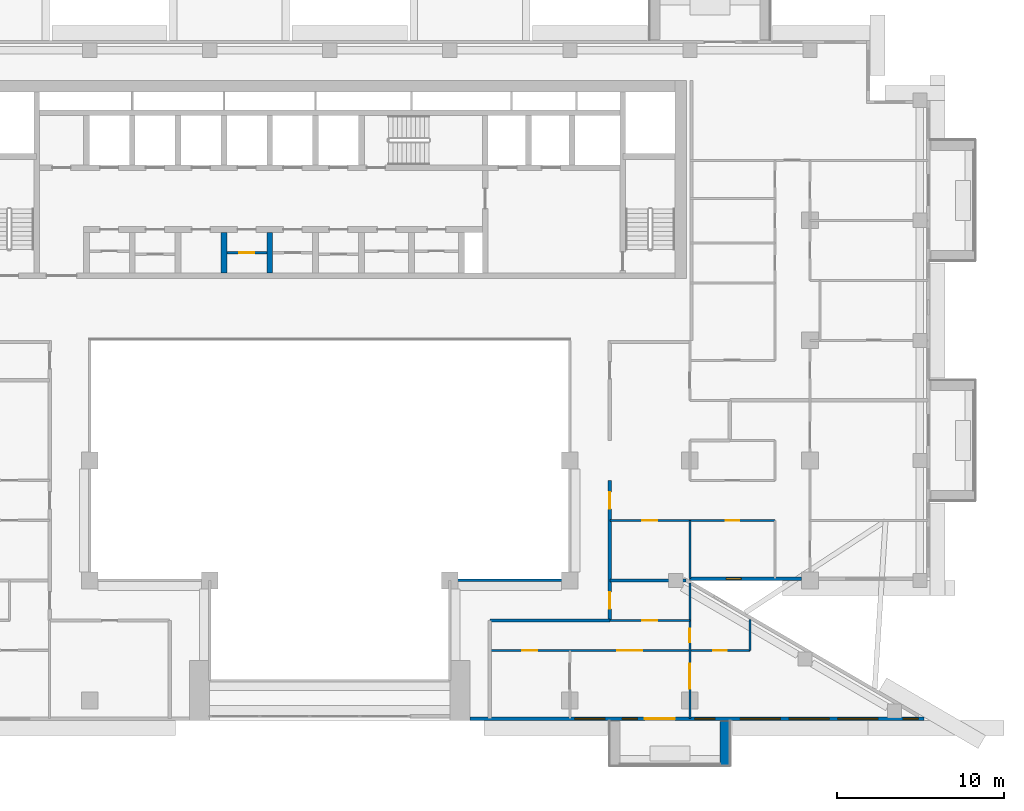
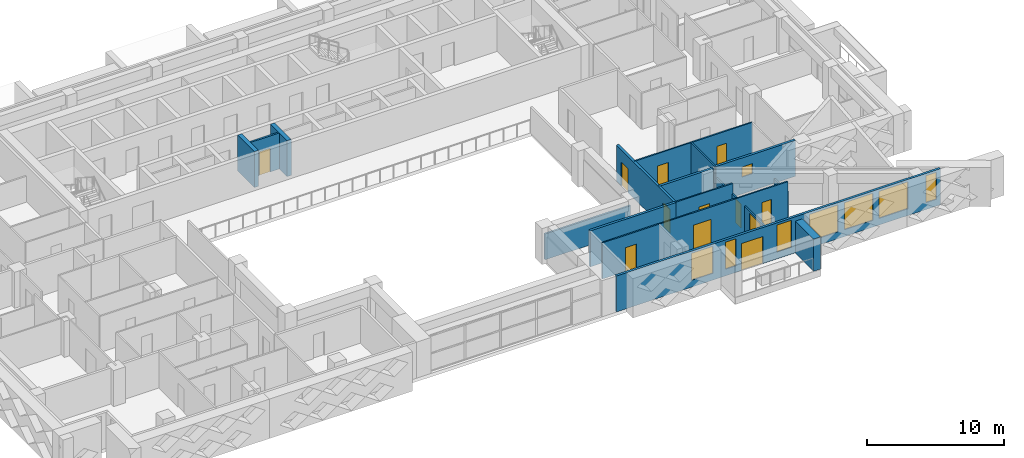
# One storey, part 8 of 20: 16 walls, 12 doors, 8 windows, 20 openings.
"""IFC4 building model written with IfcOpenShell, lengths in metres."""

from ifc_helpers import new_model, si_unit, direction, frame, frame_2d, origin, place, context, subcontext, project, spatial, rectangle, extrude, material, layer, layer_set, type_object, element, fill, save


model = new_model("IFC4")

# Units and contexts
model_context = context("Model", 3, precision=1e-05, world=origin(), true_north=direction((0.0, 1.0)))
body_context = subcontext(model_context, "Body", "Model", "MODEL_VIEW")
ifc_project = project(units=[si_unit("LENGTHUNIT", "METRE"), si_unit("AREAUNIT", "SQUARE_METRE"), si_unit("VOLUMEUNIT", "CUBIC_METRE"), si_unit("PLANEANGLEUNIT", "RADIAN"), si_unit("MASSUNIT", "GRAM", prefix="KILO")], contexts=[model_context])

# Site, building, storey
site_placement = place(None, origin())
site = spatial("IfcSite", under=ifc_project, at=site_placement, CompositionType="ELEMENT")
building_placement = place(site_placement, origin())
building = spatial("IfcBuilding", under=site, at=building_placement, Name="Saffron Iwan Residences", CompositionType="ELEMENT")
storey_placement = place(building_placement, frame((0.0, 0.0, 143.0)))
storey = spatial("IfcBuildingStorey", under=building, at=storey_placement, Name="L37", CompositionType="ELEMENT", Elevation=143.0)

# Walls
ifc_material_1 = material(Name="Fire-rated glazing", Category="glass")
ifc_layer_1 = layer(ifc_material_1, 0.14990234375)
ifc_layer_set_1 = layer_set([ifc_layer_1], Name="Fire-rated glazing")
wall_type_1 = type_object("IfcWallType", Name="Atrium glazed screen 150", PredefinedType="SOLIDWALL", material=ifc_layer_set_1)
wall_1_placement = place(storey_placement, frame((57.60009765625, 48.0, 0.0), z_axis=(0.0, 0.0, 1.0), x_axis=(1.0, 0.0, 0.0)))
element("IfcWall", 1, at=wall_1_placement, inside=storey, type_object=wall_type_1, Name="W-L37-SCREEN-h48-57.6", PredefinedType="SOLIDWALL", context=body_context, shape_type="SweptSolid", body=[
    extrude(rectangle(XDim=7.199951171875, YDim=0.14990234375, at=frame_2d((3.60009765625, 0.0))), origin(), (0.0, 0.0, 1.0), 2.300048828125),
])
ifc_material_2 = material(Name="Concrete C50/60 white painted", Category="concrete")
ifc_layer_2 = layer(ifc_material_2, 0.60009765625)
ifc_layer_set_2 = layer_set([ifc_layer_2], Name="Concrete C50/60 white painted")
wall_type_2 = type_object("IfcWallType", Name="BALCONY FIN 600", PredefinedType="SOLIDWALL", material=ifc_layer_set_2)
wall_2_placement = place(storey_placement, frame((74.10009765625, 39.550048828125, 0.0), z_axis=(0.0, 0.0, 1.0), x_axis=(0.0, -1.0, 0.0)))
element("IfcWall", 2, at=wall_2_placement, inside=storey, type_object=wall_type_2, Name="Balcony fin L37 11-1b", PredefinedType="SOLIDWALL", context=body_context, shape_type="SweptSolid", body=[
    extrude(rectangle(XDim=2.650146484375, YDim=0.60009765625, at=frame_2d((1.3251953125, 0.0))), origin(), (0.0, 0.0, 1.0), 2.85009765625),
])

# Wall, opening, door
ifc_material_3 = material(Name="Fire-rated plasterboard partition")
ifc_layer_3 = layer(ifc_material_3, 0.14990234375)
ifc_layer_set_3 = layer_set([ifc_layer_3], Name="Fire-rated plasterboard partition")
wall_type_3 = type_object("IfcWallType", Name="Core partition 150", PredefinedType="PARTITIONING", material=ifc_layer_set_3)
wall_3_placement = place(storey_placement, frame((44.22509765625, 67.66259765625, 0.0), z_axis=(0.0, 0.0, 1.0), x_axis=(1.0, 0.0, 0.0)))
wall_3 = element("IfcWall", 3, at=wall_3_placement, inside=storey, type_object=wall_type_3, Name="Core partition P03", PredefinedType="PARTITIONING", context=body_context, shape_type="SweptSolid", body=[
    extrude(rectangle(XDim=2.39990234375, YDim=0.14990234375, at=frame_2d((1.199951171875, 0.0))), origin(), (0.0, 0.0, 1.0), 3.199951171875),
])
opening_1_placement = place(wall_3_placement, frame((0.75, 0.0, 0.0)))
opening_1 = element("IfcOpeningElement", 4, at=opening_1_placement, cuts=wall_3, Name="Opening SB", PredefinedType="OPENING", context=body_context, shape_type="SweptSolid", body=[
    extrude(rectangle(XDim=0.89990234375, YDim=2.10009765625, at=frame_2d((0.449951171875, 1.050048828125))), frame((0.0, 0.0849609375, 0.0), z_axis=(0.0, -1.0, 0.0), x_axis=(1.0, 0.0, 0.0)), (0.0, 0.0, 1.0), 0.169921875),
])
ifc_material_4 = material(Name="Steel fire door", Category="steel")
door_type_1 = type_object("IfcDoorType", Name="Store door 900", OperationType="NOTDEFINED", PredefinedType="DOOR", material=ifc_material_4)
door_1_placement = place(opening_1_placement, origin())
door_1 = element("IfcDoor", 5, at=door_1_placement, inside=storey, type_object=door_type_1, Name="Door Equipment store", OperationType="SINGLE_SWING_LEFT", OverallHeight=2.10009765625, OverallWidth=0.89990234375, PredefinedType="DOOR", context=body_context, shape_type="SweptSolid", body=[
    extrude(rectangle(XDim=0.89990234375, YDim=2.10009765625, at=frame_2d((0.449951171875, 1.050048828125))), frame((0.0, 0.02490234375, 0.0), z_axis=(0.0, -1.0, 0.0), x_axis=(1.0, 0.0, 0.0)), (0.0, 0.0, 1.0), 0.050048828125),
])
fill(opening_1, door_1)

# Wall, opening, window
ifc_material_5 = material(Name="Concrete C40/50", Category="concrete")
ifc_layer_4 = layer(ifc_material_5, 0.199951171875)
ifc_layer_set_4 = layer_set([ifc_layer_4], Name="Concrete C40/50")
wall_type_4 = type_object("IfcWallType", Name="EXTERNAL WALL 200", PredefinedType="SOLIDWALL", material=ifc_layer_set_4)
wall_4_placement = place(storey_placement, frame((71.989990234375, 48.10009765625, 0.0), z_axis=(0.0, 0.0, 1.0), x_axis=(1.0, 0.0, 0.0)))
wall_4 = element("IfcWall", 6, at=wall_4_placement, inside=storey, type_object=wall_type_4, Name="External wall L37 F1.0", PredefinedType="SOLIDWALL", context=body_context, shape_type="SweptSolid", body=[
    extrude(rectangle(XDim=6.7099609375, YDim=0.199951171875, at=frame_2d((3.35498046875, 0.0))), origin(), (0.0, 0.0, 1.0), 3.199951171875),
])
opening_2_placement = place(wall_4_placement, frame((2.204833984375, 0.0, 1.5)))
opening_2 = element("IfcOpeningElement", 7, at=opening_2_placement, cuts=wall_4, Name="Opening W6", PredefinedType="OPENING", context=body_context, shape_type="SweptSolid", body=[
    extrude(rectangle(XDim=0.89990234375, YDim=0.89990234375, at=frame_2d((0.449951171875, 0.449951171875))), frame((0.0, 0.10986328125, 0.0), z_axis=(0.0, -1.0, 0.0), x_axis=(1.0, 0.0, 0.0)), (0.0, 0.0, 1.0), 0.219970703125),
])
ifc_material_6 = material(Name="Clear glass, laminated double glazed", Category="glass")
window_type_1 = type_object("IfcWindowType", Name="WINDOW 900 x 900 BATH", PartitioningType="SINGLE_PANEL", PredefinedType="WINDOW", material=ifc_material_6)
window_1_placement = place(opening_2_placement, origin())
window_1 = element("IfcWindow", 8, at=window_1_placement, inside=storey, type_object=window_type_1, Name="Window L37 F1.0", OverallHeight=0.89990234375, OverallWidth=0.89990234375, PartitioningType="SINGLE_PANEL", PredefinedType="WINDOW", context=body_context, shape_type="SweptSolid", body=[
    extrude(rectangle(XDim=0.89990234375, YDim=0.89990234375, at=frame_2d((0.449951171875, 0.449951171875))), frame((0.0, 0.030029296875, 0.0), z_axis=(0.0, -1.0, 0.0), x_axis=(1.0, 0.0, 0.0)), (0.0, 0.0, 1.0), 0.06005859375),
])
fill(opening_2, window_1)

# Wall, openings, door, windows
wall_5_placement = place(storey_placement, frame((58.800048828125, 39.699951171875, 0.0), z_axis=(0.0, 0.0, 1.0), x_axis=(1.0, 0.0, 0.0)))
wall_5 = element("IfcWall", 9, at=wall_5_placement, inside=storey, type_object=wall_type_4, Name="External wall L37 F11.1", PredefinedType="SOLIDWALL", context=body_context, shape_type="SweptSolid", body=[
    extrude(rectangle(XDim=27.22998046875, YDim=0.199951171875, at=frame_2d((13.614990234375, 0.0))), origin(), (0.0, 0.0, 1.0), 3.199951171875),
])
opening_3_placement = place(wall_5_placement, frame((10.5, 0.0, 0.0)))
opening_3 = element("IfcOpeningElement", 10, at=opening_3_placement, cuts=wall_5, Name="Opening BD1", PredefinedType="OPENING", context=body_context, shape_type="SweptSolid", body=[
    extrude(rectangle(XDim=1.800048828125, YDim=2.39990234375, at=frame_2d((0.89990234375, 1.199951171875))), frame((0.0, 0.10986328125, 0.0), z_axis=(0.0, -1.0, 0.0), x_axis=(1.0, 0.0, 0.0)), (0.0, 0.0, 1.0), 0.219970703125),
])
opening_4_placement = place(wall_5_placement, frame((6.300048828125, 0.0, 0.60009765625)))
opening_4 = element("IfcOpeningElement", 11, at=opening_4_placement, cuts=wall_5, Name="Opening W8", PredefinedType="OPENING", context=body_context, shape_type="SweptSolid", body=[
    extrude(rectangle(XDim=1.800048828125, YDim=2.39990234375, at=frame_2d((0.89990234375, 1.199951171875))), frame((0.0, 0.10986328125, 0.0), z_axis=(0.0, -1.0, 0.0), x_axis=(1.0, 0.0, 0.0)), (0.0, 0.0, 1.0), 0.219970703125),
])
opening_5_placement = place(wall_5_placement, frame((9.14990234375, 0.0, 0.60009765625)))
opening_5 = element("IfcOpeningElement", 12, at=opening_5_placement, cuts=wall_5, Name="Opening W10", PredefinedType="OPENING", context=body_context, shape_type="SweptSolid", body=[
    extrude(rectangle(XDim=0.89990234375, YDim=2.39990234375, at=frame_2d((0.449951171875, 1.199951171875))), frame((0.0, 0.10986328125, 0.0), z_axis=(0.0, -1.0, 0.0), x_axis=(1.0, 0.0, 0.0)), (0.0, 0.0, 1.0), 0.219970703125),
])
opening_6_placement = place(wall_5_placement, frame((13.5, 0.0, 0.60009765625)))
opening_6 = element("IfcOpeningElement", 13, at=opening_6_placement, cuts=wall_5, Name="Opening W3", PredefinedType="OPENING", context=body_context, shape_type="SweptSolid", body=[
    extrude(rectangle(XDim=1.199951171875, YDim=2.39990234375, at=frame_2d((0.60009765625, 1.199951171875))), frame((0.0, 0.10986328125, 0.0), z_axis=(0.0, -1.0, 0.0), x_axis=(1.0, 0.0, 0.0)), (0.0, 0.0, 1.0), 0.219970703125),
])
opening_7_placement = place(wall_5_placement, frame((16.225341796875, 0.0, 0.60009765625)))
opening_7 = element("IfcOpeningElement", 14, at=opening_7_placement, cuts=wall_5, Name="Opening W1", PredefinedType="OPENING", context=body_context, shape_type="SweptSolid", body=[
    extrude(rectangle(XDim=2.39990234375, YDim=2.39990234375, at=frame_2d((1.199951171875, 1.199951171875))), frame((0.0, 0.10986328125, 0.0), z_axis=(0.0, -1.0, 0.0), x_axis=(1.0, 0.0, 0.0)), (0.0, 0.0, 1.0), 0.219970703125),
])
opening_8_placement = place(wall_5_placement, frame((19.150634765625, 0.0, 0.60009765625)))
opening_8 = element("IfcOpeningElement", 15, at=opening_8_placement, cuts=wall_5, Name="Opening W1", PredefinedType="OPENING", context=body_context, shape_type="SweptSolid", body=[
    extrude(rectangle(XDim=2.39990234375, YDim=2.39990234375, at=frame_2d((1.199951171875, 1.199951171875))), frame((0.0, 0.10986328125, 0.0), z_axis=(0.0, -1.0, 0.0), x_axis=(1.0, 0.0, 0.0)), (0.0, 0.0, 1.0), 0.219970703125),
])
opening_9_placement = place(wall_5_placement, frame((22.075927734375, 0.0, 0.60009765625)))
opening_9 = element("IfcOpeningElement", 16, at=opening_9_placement, cuts=wall_5, Name="Opening W1", PredefinedType="OPENING", context=body_context, shape_type="SweptSolid", body=[
    extrude(rectangle(XDim=2.39990234375, YDim=2.39990234375, at=frame_2d((1.199951171875, 1.199951171875))), frame((0.0, 0.10986328125, 0.0), z_axis=(0.0, -1.0, 0.0), x_axis=(1.0, 0.0, 0.0)), (0.0, 0.0, 1.0), 0.219970703125),
])
opening_10_placement = place(wall_5_placement, frame((25.990478515625, 0.0, 0.60009765625)))
opening_10 = element("IfcOpeningElement", 17, at=opening_10_placement, cuts=wall_5, Name="Opening W10", PredefinedType="OPENING", context=body_context, shape_type="SweptSolid", body=[
    extrude(rectangle(XDim=0.89990234375, YDim=2.39990234375, at=frame_2d((0.449951171875, 1.199951171875))), frame((0.0, 0.10986328125, 0.0), z_axis=(0.0, -1.0, 0.0), x_axis=(1.0, 0.0, 0.0)), (0.0, 0.0, 1.0), 0.219970703125),
])
door_type_2 = type_object("IfcDoorType", Name="BALCONY DOOR 1800 x 2400", OperationType="DOUBLE_DOOR_SLIDING", PredefinedType="DOOR", material=ifc_material_6)
door_2_placement = place(opening_3_placement, origin())
door_2 = element("IfcDoor", 18, at=door_2_placement, inside=storey, type_object=door_type_2, Name="Balcony door L37 F11.0", OperationType="DOUBLE_DOOR_SLIDING", OverallHeight=2.39990234375, OverallWidth=1.800048828125, PredefinedType="DOOR", context=body_context, shape_type="SweptSolid", body=[
    extrude(rectangle(XDim=1.800048828125, YDim=2.39990234375, at=frame_2d((0.89990234375, 1.199951171875))), frame((0.0, 0.02490234375, 0.0), z_axis=(0.0, -1.0, 0.0), x_axis=(1.0, 0.0, 0.0)), (0.0, 0.0, 1.0), 0.050048828125),
])
fill(opening_3, door_2)
window_type_2 = type_object("IfcWindowType", Name="WINDOW 1200 x 2400", PartitioningType="SINGLE_PANEL", PredefinedType="WINDOW", material=ifc_material_6)
window_2_placement = place(opening_6_placement, origin())
window_2 = element("IfcWindow", 19, at=window_2_placement, inside=storey, type_object=window_type_2, Name="Window L37 F11.3", OverallHeight=2.39990234375, OverallWidth=1.199951171875, PartitioningType="SINGLE_PANEL", PredefinedType="WINDOW", context=body_context, shape_type="SweptSolid", body=[
    extrude(rectangle(XDim=1.199951171875, YDim=2.39990234375, at=frame_2d((0.60009765625, 1.199951171875))), frame((0.0, 0.030029296875, 0.0), z_axis=(0.0, -1.0, 0.0), x_axis=(1.0, 0.0, 0.0)), (0.0, 0.0, 1.0), 0.06005859375),
])
fill(opening_6, window_2)
window_type_3 = type_object("IfcWindowType", Name="WINDOW 1800 x 2400", PartitioningType="DOUBLE_PANEL_VERTICAL", PredefinedType="WINDOW", material=ifc_material_6)
window_3_placement = place(opening_4_placement, origin())
window_3 = element("IfcWindow", 20, at=window_3_placement, inside=storey, type_object=window_type_3, Name="Window L37 F11.1", OverallHeight=2.39990234375, OverallWidth=1.800048828125, PartitioningType="DOUBLE_PANEL_VERTICAL", PredefinedType="WINDOW", context=body_context, shape_type="SweptSolid", body=[
    extrude(rectangle(XDim=1.800048828125, YDim=2.39990234375, at=frame_2d((0.89990234375, 1.199951171875))), frame((0.0, 0.030029296875, 0.0), z_axis=(0.0, -1.0, 0.0), x_axis=(1.0, 0.0, 0.0)), (0.0, 0.0, 1.0), 0.06005859375),
])
fill(opening_4, window_3)
window_type_4 = type_object("IfcWindowType", Name="WINDOW 2400 x 2400", PartitioningType="DOUBLE_PANEL_VERTICAL", PredefinedType="WINDOW", material=ifc_material_6)
window_4_placement = place(opening_7_placement, origin())
window_4 = element("IfcWindow", 21, at=window_4_placement, inside=storey, type_object=window_type_4, Name="Window L37 F11.4", OverallHeight=2.39990234375, OverallWidth=2.39990234375, PartitioningType="DOUBLE_PANEL_VERTICAL", PredefinedType="WINDOW", context=body_context, shape_type="SweptSolid", body=[
    extrude(rectangle(XDim=2.39990234375, YDim=2.39990234375, at=frame_2d((1.199951171875, 1.199951171875))), frame((0.0, 0.030029296875, 0.0), z_axis=(0.0, -1.0, 0.0), x_axis=(1.0, 0.0, 0.0)), (0.0, 0.0, 1.0), 0.06005859375),
])
fill(opening_7, window_4)
window_5_placement = place(opening_8_placement, origin())
window_5 = element("IfcWindow", 22, at=window_5_placement, inside=storey, type_object=window_type_4, Name="Window L37 F11.5", OverallHeight=2.39990234375, OverallWidth=2.39990234375, PartitioningType="DOUBLE_PANEL_VERTICAL", PredefinedType="WINDOW", context=body_context, shape_type="SweptSolid", body=[
    extrude(rectangle(XDim=2.39990234375, YDim=2.39990234375, at=frame_2d((1.199951171875, 1.199951171875))), frame((0.0, 0.030029296875, 0.0), z_axis=(0.0, -1.0, 0.0), x_axis=(1.0, 0.0, 0.0)), (0.0, 0.0, 1.0), 0.06005859375),
])
fill(opening_8, window_5)
window_6_placement = place(opening_9_placement, origin())
window_6 = element("IfcWindow", 23, at=window_6_placement, inside=storey, type_object=window_type_4, Name="Window L37 F11.6", OverallHeight=2.39990234375, OverallWidth=2.39990234375, PartitioningType="DOUBLE_PANEL_VERTICAL", PredefinedType="WINDOW", context=body_context, shape_type="SweptSolid", body=[
    extrude(rectangle(XDim=2.39990234375, YDim=2.39990234375, at=frame_2d((1.199951171875, 1.199951171875))), frame((0.0, 0.030029296875, 0.0), z_axis=(0.0, -1.0, 0.0), x_axis=(1.0, 0.0, 0.0)), (0.0, 0.0, 1.0), 0.06005859375),
])
fill(opening_9, window_6)
window_type_5 = type_object("IfcWindowType", Name="WINDOW 900 x 2400", PartitioningType="SINGLE_PANEL", PredefinedType="WINDOW", material=ifc_material_6)
window_7_placement = place(opening_5_placement, origin())
window_7 = element("IfcWindow", 24, at=window_7_placement, inside=storey, type_object=window_type_5, Name="Window L37 F11.2", OverallHeight=2.39990234375, OverallWidth=0.89990234375, PartitioningType="SINGLE_PANEL", PredefinedType="WINDOW", context=body_context, shape_type="SweptSolid", body=[
    extrude(rectangle(XDim=0.89990234375, YDim=2.39990234375, at=frame_2d((0.449951171875, 1.199951171875))), frame((0.0, 0.030029296875, 0.0), z_axis=(0.0, -1.0, 0.0), x_axis=(1.0, 0.0, 0.0)), (0.0, 0.0, 1.0), 0.06005859375),
])
fill(opening_5, window_7)
window_8_placement = place(opening_10_placement, origin())
window_8 = element("IfcWindow", 25, at=window_8_placement, inside=storey, type_object=window_type_5, Name="Window L37 F11.7", OverallHeight=2.39990234375, OverallWidth=0.89990234375, PartitioningType="SINGLE_PANEL", PredefinedType="WINDOW", context=body_context, shape_type="SweptSolid", body=[
    extrude(rectangle(XDim=0.89990234375, YDim=2.39990234375, at=frame_2d((0.449951171875, 1.199951171875))), frame((0.0, 0.030029296875, 0.0), z_axis=(0.0, -1.0, 0.0), x_axis=(1.0, 0.0, 0.0)), (0.0, 0.0, 1.0), 0.06005859375),
])
fill(opening_10, window_8)

# Wall
ifc_material_7 = material(Name="Fire-rated gypsum board wall")
ifc_layer_5 = layer(ifc_material_7, 0.199951171875)
ifc_layer_set_5 = layer_set([ifc_layer_5], Name="Fire-rated gypsum board wall")
wall_type_5 = type_object("IfcWallType", Name="Flat demising wall 200", PredefinedType="SOLIDWALL", material=ifc_layer_set_5)
wall_6_placement = place(storey_placement, frame((67.199951171875, 48.0, 0.0), z_axis=(0.0, 0.0, 1.0), x_axis=(1.0, 0.0, 0.0)))
element("IfcWall", 26, at=wall_6_placement, inside=storey, type_object=wall_type_5, Name="W-L37-DEMISE-h48-67.2", PredefinedType="SOLIDWALL", context=body_context, shape_type="SweptSolid", body=[
    extrude(rectangle(XDim=4.552001953125, YDim=0.199951171875, at=frame_2d((2.27587890625, 0.0))), origin(), (0.0, 0.0, 1.0), 3.199951171875),
])

# Wall, openings, doors
ifc_material_8 = material(Name="Gypsum board partition")
ifc_layer_6 = layer(ifc_material_8, 0.1201171875)
ifc_layer_set_6 = layer_set([ifc_layer_6], Name="Gypsum board partition")
wall_type_6 = type_object("IfcWallType", Name="Flat partition 120", PredefinedType="PARTITIONING", material=ifc_layer_set_6)
wall_7_placement = place(storey_placement, frame((60.0, 43.800048828125, 0.0), z_axis=(0.0, 0.0, 1.0), x_axis=(1.0, 0.0, 0.0)))
wall_7 = element("IfcWall", 27, at=wall_7_placement, inside=storey, type_object=wall_type_6, Name="W-L37-PART-h43.8-60", PredefinedType="PARTITIONING", context=body_context, shape_type="SweptSolid", body=[
    extrude(rectangle(XDim=15.60009765625, YDim=0.1201171875, at=frame_2d((7.800048828125, 0.0))), origin(), (0.0, 0.0, 1.0), 3.199951171875),
])
opening_11_placement = place(wall_7_placement, frame((7.64990234375, 0.0, 0.0)))
opening_11 = element("IfcOpeningElement", 28, at=opening_11_placement, cuts=wall_7, Name="Opening FD4", PredefinedType="OPENING", context=body_context, shape_type="SweptSolid", body=[
    extrude(rectangle(XDim=1.5, YDim=2.10009765625, at=frame_2d((0.75, 1.050048828125))), frame((0.0, 0.070068359375, 0.0), z_axis=(0.0, -1.0, 0.0), x_axis=(1.0, 0.0, 0.0)), (0.0, 0.0, 1.0), 0.14013671875),
])
opening_12_placement = place(wall_7_placement, frame((1.949951171875, 0.0, 0.0)))
opening_12 = element("IfcOpeningElement", 29, at=opening_12_placement, cuts=wall_7, Name="Opening FD2", PredefinedType="OPENING", context=body_context, shape_type="SweptSolid", body=[
    extrude(rectangle(XDim=0.89990234375, YDim=2.10009765625, at=frame_2d((0.449951171875, 1.050048828125))), frame((0.0, 0.070068359375, 0.0), z_axis=(0.0, -1.0, 0.0), x_axis=(1.0, 0.0, 0.0)), (0.0, 0.0, 1.0), 0.14013671875),
])
opening_13_placement = place(wall_7_placement, frame((13.39990234375, 0.0, 0.0)))
opening_13 = element("IfcOpeningElement", 30, at=opening_13_placement, cuts=wall_7, Name="Opening FD3", PredefinedType="OPENING", context=body_context, shape_type="SweptSolid", body=[
    extrude(rectangle(XDim=0.800048828125, YDim=2.10009765625, at=frame_2d((0.39990234375, 1.050048828125))), frame((0.0, 0.070068359375, 0.0), z_axis=(0.0, -1.0, 0.0), x_axis=(1.0, 0.0, 0.0)), (0.0, 0.0, 1.0), 0.14013671875),
])
ifc_material_9 = material(Name="Timber door", Category="wood")
door_type_3 = type_object("IfcDoorType", Name="Bathroom door 800", OperationType="NOTDEFINED", PredefinedType="DOOR", material=ifc_material_9)
door_3_placement = place(opening_13_placement, origin())
door_3 = element("IfcDoor", 31, at=door_3_placement, inside=storey, type_object=door_type_3, Name="Door L37-048", OperationType="SINGLE_SWING_RIGHT", OverallHeight=2.10009765625, OverallWidth=0.800048828125, PredefinedType="DOOR", context=body_context, shape_type="SweptSolid", body=[
    extrude(rectangle(XDim=0.800048828125, YDim=2.10009765625, at=frame_2d((0.39990234375, 1.050048828125))), frame((0.0, 0.02490234375, 0.0), z_axis=(0.0, -1.0, 0.0), x_axis=(1.0, 0.0, 0.0)), (0.0, 0.0, 1.0), 0.050048828125),
])
fill(opening_13, door_3)
door_type_4 = type_object("IfcDoorType", Name="Double door 1500", OperationType="NOTDEFINED", PredefinedType="DOOR", material=ifc_material_9)
door_4_placement = place(opening_11_placement, origin())
door_4 = element("IfcDoor", 32, at=door_4_placement, inside=storey, type_object=door_type_4, Name="Door L37-044", OperationType="SINGLE_SWING_LEFT", OverallHeight=2.10009765625, OverallWidth=1.5, PredefinedType="DOOR", context=body_context, shape_type="SweptSolid", body=[
    extrude(rectangle(XDim=1.5, YDim=2.10009765625, at=frame_2d((0.75, 1.050048828125))), frame((0.0, 0.02490234375, 0.0), z_axis=(0.0, -1.0, 0.0), x_axis=(1.0, 0.0, 0.0)), (0.0, 0.0, 1.0), 0.050048828125),
])
fill(opening_11, door_4)
door_type_5 = type_object("IfcDoorType", Name="Flat door 900", OperationType="NOTDEFINED", PredefinedType="DOOR", material=ifc_material_9)
door_5_placement = place(opening_12_placement, origin())
door_5 = element("IfcDoor", 33, at=door_5_placement, inside=storey, type_object=door_type_5, Name="Door L37-045", OperationType="SINGLE_SWING_RIGHT", OverallHeight=2.10009765625, OverallWidth=0.89990234375, PredefinedType="DOOR", context=body_context, shape_type="SweptSolid", body=[
    extrude(rectangle(XDim=0.89990234375, YDim=2.10009765625, at=frame_2d((0.449951171875, 1.050048828125))), frame((0.0, 0.02490234375, 0.0), z_axis=(0.0, -1.0, 0.0), x_axis=(1.0, 0.0, 0.0)), (0.0, 0.0, 1.0), 0.050048828125),
])
fill(opening_12, door_5)

# Wall, opening, door
wall_8_placement = place(storey_placement, frame((67.199951171875, 45.60009765625, 0.0), z_axis=(0.0, 0.0, 1.0), x_axis=(1.0, 0.0, 0.0)))
wall_8 = element("IfcWall", 34, at=wall_8_placement, inside=storey, type_object=wall_type_6, Name="W-L37-PART-h45.6-67.2", PredefinedType="PARTITIONING", context=body_context, shape_type="SweptSolid", body=[
    extrude(rectangle(XDim=4.800048828125, YDim=0.1201171875, at=frame_2d((2.39990234375, 0.0))), origin(), (0.0, 0.0, 1.0), 3.199951171875),
])
opening_14_placement = place(wall_8_placement, frame((1.949951171875, 0.0, 0.0)))
opening_14 = element("IfcOpeningElement", 35, at=opening_14_placement, cuts=wall_8, Name="Opening FD2", PredefinedType="OPENING", context=body_context, shape_type="SweptSolid", body=[
    extrude(rectangle(XDim=0.89990234375, YDim=2.10009765625, at=frame_2d((0.449951171875, 1.050048828125))), frame((0.0, 0.070068359375, 0.0), z_axis=(0.0, -1.0, 0.0), x_axis=(1.0, 0.0, 0.0)), (0.0, 0.0, 1.0), 0.14013671875),
])
door_6_placement = place(opening_14_placement, origin())
door_6 = element("IfcDoor", 36, at=door_6_placement, inside=storey, type_object=door_type_5, Name="Door L37-042", OperationType="SINGLE_SWING_RIGHT", OverallHeight=2.10009765625, OverallWidth=0.89990234375, PredefinedType="DOOR", context=body_context, shape_type="SweptSolid", body=[
    extrude(rectangle(XDim=0.89990234375, YDim=2.10009765625, at=frame_2d((0.449951171875, 1.050048828125))), frame((0.0, 0.02490234375, 0.0), z_axis=(0.0, -1.0, 0.0), x_axis=(1.0, 0.0, 0.0)), (0.0, 0.0, 1.0), 0.050048828125),
])
fill(opening_14, door_6)

# Wall, openings, doors
wall_9_placement = place(storey_placement, frame((67.199951171875, 51.60009765625, 0.0), z_axis=(0.0, 0.0, 1.0), x_axis=(1.0, 0.0, 0.0)))
wall_9 = element("IfcWall", 37, at=wall_9_placement, inside=storey, type_object=wall_type_6, Name="W-L37-PART-h51.6-67.2", PredefinedType="PARTITIONING", context=body_context, shape_type="SweptSolid", body=[
    extrude(rectangle(XDim=9.900146484375, YDim=0.1201171875, at=frame_2d((4.9501953125, 0.0))), origin(), (0.0, 0.0, 1.0), 3.199951171875),
])
opening_15_placement = place(wall_9_placement, frame((6.949951171875, 0.0, 0.0)))
opening_15 = element("IfcOpeningElement", 38, at=opening_15_placement, cuts=wall_9, Name="Opening FD3", PredefinedType="OPENING", context=body_context, shape_type="SweptSolid", body=[
    extrude(rectangle(XDim=0.800048828125, YDim=2.10009765625, at=frame_2d((0.39990234375, 1.050048828125))), frame((0.0, 0.070068359375, 0.0), z_axis=(0.0, -1.0, 0.0), x_axis=(1.0, 0.0, 0.0)), (0.0, 0.0, 1.0), 0.14013671875),
])
opening_16_placement = place(wall_9_placement, frame((1.949951171875, 0.0, 0.0)))
opening_16 = element("IfcOpeningElement", 39, at=opening_16_placement, cuts=wall_9, Name="Opening FD2", PredefinedType="OPENING", context=body_context, shape_type="SweptSolid", body=[
    extrude(rectangle(XDim=0.89990234375, YDim=2.10009765625, at=frame_2d((0.449951171875, 1.050048828125))), frame((0.0, 0.070068359375, 0.0), z_axis=(0.0, -1.0, 0.0), x_axis=(1.0, 0.0, 0.0)), (0.0, 0.0, 1.0), 0.14013671875),
])
door_7_placement = place(opening_15_placement, origin())
door_7 = element("IfcDoor", 40, at=door_7_placement, inside=storey, type_object=door_type_3, Name="Door L37-019", OperationType="SINGLE_SWING_LEFT", OverallHeight=2.10009765625, OverallWidth=0.800048828125, PredefinedType="DOOR", context=body_context, shape_type="SweptSolid", body=[
    extrude(rectangle(XDim=0.800048828125, YDim=2.10009765625, at=frame_2d((0.39990234375, 1.050048828125))), frame((0.0, 0.02490234375, 0.0), z_axis=(0.0, -1.0, 0.0), x_axis=(1.0, 0.0, 0.0)), (0.0, 0.0, 1.0), 0.050048828125),
])
fill(opening_15, door_7)
door_8_placement = place(opening_16_placement, origin())
door_8 = element("IfcDoor", 41, at=door_8_placement, inside=storey, type_object=door_type_5, Name="Door L37-021", OperationType="SINGLE_SWING_RIGHT", OverallHeight=2.10009765625, OverallWidth=0.89990234375, PredefinedType="DOOR", context=body_context, shape_type="SweptSolid", body=[
    extrude(rectangle(XDim=0.89990234375, YDim=2.10009765625, at=frame_2d((0.449951171875, 1.050048828125))), frame((0.0, 0.02490234375, 0.0), z_axis=(0.0, -1.0, 0.0), x_axis=(1.0, 0.0, 0.0)), (0.0, 0.0, 1.0), 0.050048828125),
])
fill(opening_16, door_8)

wall_10_placement = place(storey_placement, frame((72.0, 39.72509765625, 0.0), z_axis=(0.0, 0.0, 1.0), x_axis=(0.0, 1.0, 0.0)))
wall_10 = element("IfcWall", 42, at=wall_10_placement, inside=storey, type_object=wall_type_6, Name="W-L37-PART-v72-39.725", PredefinedType="PARTITIONING", context=body_context, shape_type="SweptSolid", body=[
    extrude(rectangle(XDim=8.1298828125, YDim=0.1201171875, at=frame_2d((4.06494140625, 0.0))), origin(), (0.0, 0.0, 1.0), 2.300048828125),
])
opening_17_placement = place(wall_10_placement, frame((1.78759765625, 0.0, 0.0)))
opening_17 = element("IfcOpeningElement", 43, at=opening_17_placement, cuts=wall_10, Name="Opening FD4", PredefinedType="OPENING", context=body_context, shape_type="SweptSolid", body=[
    extrude(rectangle(XDim=1.5, YDim=2.10009765625, at=frame_2d((0.75, 1.050048828125))), frame((0.0, 0.070068359375, 0.0), z_axis=(0.0, -1.0, 0.0), x_axis=(1.0, 0.0, 0.0)), (0.0, 0.0, 1.0), 0.14013671875),
])
opening_18_placement = place(wall_10_placement, frame((4.574951171875, 0.0, 0.0)))
opening_18 = element("IfcOpeningElement", 44, at=opening_18_placement, cuts=wall_10, Name="Opening FD3", PredefinedType="OPENING", context=body_context, shape_type="SweptSolid", body=[
    extrude(rectangle(XDim=0.800048828125, YDim=2.10009765625, at=frame_2d((0.39990234375, 1.050048828125))), frame((0.0, 0.070068359375, 0.0), z_axis=(0.0, -1.0, 0.0), x_axis=(1.0, 0.0, 0.0)), (0.0, 0.0, 1.0), 0.14013671875),
])
door_9_placement = place(opening_18_placement, origin())
door_9 = element("IfcDoor", 45, at=door_9_placement, inside=storey, type_object=door_type_3, Name="Door L37-047", OperationType="SINGLE_SWING_LEFT", OverallHeight=2.10009765625, OverallWidth=0.800048828125, PredefinedType="DOOR", context=body_context, shape_type="SweptSolid", body=[
    extrude(rectangle(XDim=0.800048828125, YDim=2.10009765625, at=frame_2d((0.39990234375, 1.050048828125))), frame((0.0, 0.02490234375, 0.0), z_axis=(0.0, -1.0, 0.0), x_axis=(1.0, 0.0, 0.0)), (0.0, 0.0, 1.0), 0.050048828125),
])
fill(opening_18, door_9)
door_10_placement = place(opening_17_placement, origin())
door_10 = element("IfcDoor", 46, at=door_10_placement, inside=storey, type_object=door_type_4, Name="Door L37-046", OperationType="SINGLE_SWING_RIGHT", OverallHeight=2.10009765625, OverallWidth=1.5, PredefinedType="DOOR", context=body_context, shape_type="SweptSolid", body=[
    extrude(rectangle(XDim=1.5, YDim=2.10009765625, at=frame_2d((0.75, 1.050048828125))), frame((0.0, 0.02490234375, 0.0), z_axis=(0.0, -1.0, 0.0), x_axis=(1.0, 0.0, 0.0)), (0.0, 0.0, 1.0), 0.050048828125),
])
fill(opening_17, door_10)

# Walls
wall_11_placement = place(storey_placement, frame((72.0, 48.125, 0.0), z_axis=(0.0, 0.0, 1.0), x_axis=(0.0, 1.0, 0.0)))
element("IfcWall", 47, at=wall_11_placement, inside=storey, type_object=wall_type_6, Name="W-L37-PART-v72-48.125", PredefinedType="PARTITIONING", context=body_context, shape_type="SweptSolid", body=[
    extrude(rectangle(XDim=3.47509765625, YDim=0.1201171875, at=frame_2d((1.737548828125, 0.0))), origin(), (0.0, 0.0, 1.0), 3.199951171875),
])
wall_12_placement = place(storey_placement, frame((75.60009765625, 43.800048828125, 0.0), z_axis=(0.0, 0.0, 1.0), x_axis=(0.0, 1.0, 0.0)))
element("IfcWall", 48, at=wall_12_placement, inside=storey, type_object=wall_type_6, Name="W-L37-PART-v75.6-43.8", PredefinedType="PARTITIONING", context=body_context, shape_type="SweptSolid", body=[
    extrude(rectangle(XDim=1.868408203125, YDim=0.1201171875, at=frame_2d((0.93408203125, 0.0))), origin(), (0.0, 0.0, 1.0), 2.300048828125),
])
ifc_layer_7 = layer(ifc_material_7, 0.199951171875)
ifc_layer_set_7 = layer_set([ifc_layer_7], Name="Fire-rated gypsum board wall")
wall_type_7 = type_object("IfcWallType", Name="Gallery wall 200", PredefinedType="SOLIDWALL", material=ifc_layer_set_7)
wall_13_placement = place(storey_placement, frame((60.0, 45.60009765625, 0.0), z_axis=(0.0, 0.0, 1.0), x_axis=(1.0, 0.0, 0.0)))
element("IfcWall", 49, at=wall_13_placement, inside=storey, type_object=wall_type_7, Name="W-L37-CORR-h45.6-60", PredefinedType="SOLIDWALL", context=body_context, shape_type="SweptSolid", body=[
    extrude(rectangle(XDim=7.199951171875, YDim=0.199951171875, at=frame_2d((3.60009765625, 0.0))), origin(), (0.0, 0.0, 1.0), 3.199951171875),
])

# Wall, openings, doors
wall_14_placement = place(storey_placement, frame((67.199951171875, 45.60009765625, 0.0), z_axis=(0.0, 0.0, 1.0), x_axis=(0.0, 1.0, 0.0)))
wall_14 = element("IfcWall", 50, at=wall_14_placement, inside=storey, type_object=wall_type_7, Name="W-L37-CORR-v67.2-45.6", PredefinedType="SOLIDWALL", context=body_context, shape_type="SweptSolid", body=[
    extrude(rectangle(XDim=8.39990234375, YDim=0.199951171875, at=frame_2d((4.199951171875, 0.0))), origin(), (0.0, 0.0, 1.0), 3.199951171875),
])
opening_19_placement = place(wall_14_placement, frame((6.699951171875, 0.0, 0.0)))
opening_19 = element("IfcOpeningElement", 51, at=opening_19_placement, cuts=wall_14, Name="Opening FD1", PredefinedType="OPENING", context=body_context, shape_type="SweptSolid", body=[
    extrude(rectangle(XDim=1.0, YDim=2.10009765625, at=frame_2d((0.5, 1.050048828125))), frame((0.0, 0.10986328125, 0.0), z_axis=(0.0, -1.0, 0.0), x_axis=(1.0, 0.0, 0.0)), (0.0, 0.0, 1.0), 0.219970703125),
])
opening_20_placement = place(wall_14_placement, frame((0.699951171875, 0.0, 0.0)))
opening_20 = element("IfcOpeningElement", 52, at=opening_20_placement, cuts=wall_14, Name="Opening FD5", PredefinedType="OPENING", context=body_context, shape_type="SweptSolid", body=[
    extrude(rectangle(XDim=1.0, YDim=2.10009765625, at=frame_2d((0.5, 1.050048828125))), frame((0.0, 0.10986328125, 0.0), z_axis=(0.0, -1.0, 0.0), x_axis=(1.0, 0.0, 0.0)), (0.0, 0.0, 1.0), 0.219970703125),
])
ifc_material_10 = material(Name="Fire-rated timber door", Category="wood")
door_type_6 = type_object("IfcDoorType", Name="FD30S flat entrance door 1000", OperationType="NOTDEFINED", PredefinedType="DOOR", material=ifc_material_10)
door_11_placement = place(opening_19_placement, origin())
door_11 = element("IfcDoor", 53, at=door_11_placement, inside=storey, type_object=door_type_6, Name="Door L37-016", OperationType="SINGLE_SWING_LEFT", OverallHeight=2.10009765625, OverallWidth=1.0, PredefinedType="DOOR", context=body_context, shape_type="SweptSolid", body=[
    extrude(rectangle(XDim=1.0, YDim=2.10009765625, at=frame_2d((0.5, 1.050048828125))), frame((0.0, 0.02490234375, 0.0), z_axis=(0.0, -1.0, 0.0), x_axis=(1.0, 0.0, 0.0)), (0.0, 0.0, 1.0), 0.050048828125),
])
fill(opening_19, door_11)
door_type_7 = type_object("IfcDoorType", Name="Lobby door 1000", OperationType="NOTDEFINED", PredefinedType="DOOR", material=ifc_material_10)
door_12_placement = place(opening_20_placement, origin())
door_12 = element("IfcDoor", 54, at=door_12_placement, inside=storey, type_object=door_type_7, Name="Door L37-043", OperationType="SINGLE_SWING_LEFT", OverallHeight=2.10009765625, OverallWidth=1.0, PredefinedType="DOOR", context=body_context, shape_type="SweptSolid", body=[
    extrude(rectangle(XDim=1.0, YDim=2.10009765625, at=frame_2d((0.5, 1.050048828125))), frame((0.0, 0.02490234375, 0.0), z_axis=(0.0, -1.0, 0.0), x_axis=(1.0, 0.0, 0.0)), (0.0, 0.0, 1.0), 0.050048828125),
])
fill(opening_20, door_12)

# Walls
ifc_material_11 = material(Name="Concrete C50/60", Category="concrete")
ifc_layer_8 = layer(ifc_material_11, 0.35009765625)
ifc_layer_set_8 = layer_set([ifc_layer_8], Name="Concrete C50/60")
wall_type_8 = type_object("IfcWallType", Name="WALL CORE 350 C50/60 3200 HIGH", PredefinedType="SHEAR", material=ifc_layer_set_8)
for number, where, z_axis, x_axis, name in (
    (55, (44.050048828125, 66.449951171875, 0.0), (0.0, 0.0, 1.0), (0.0, 1.0, 0.0), "Core wall"),
    (56, (46.800048828125, 66.449951171875, 0.0), (0.0, 0.0, 1.0), (0.0, 1.0, 0.0), "Core wall"),
):
    element("IfcWall", number, at=place(storey_placement, frame(where, z_axis=z_axis, x_axis=x_axis)), inside=storey, type_object=wall_type_8, Name=name, PredefinedType="SHEAR", context=body_context, shape_type="SweptSolid", body=[
        extrude(rectangle(XDim=2.425048828125, YDim=0.35009765625, at=frame_2d((1.21240234375, 0.0))), origin(), (0.0, 0.0, 1.0), 3.199951171875),
    ])

save(model, "model.ifc")
